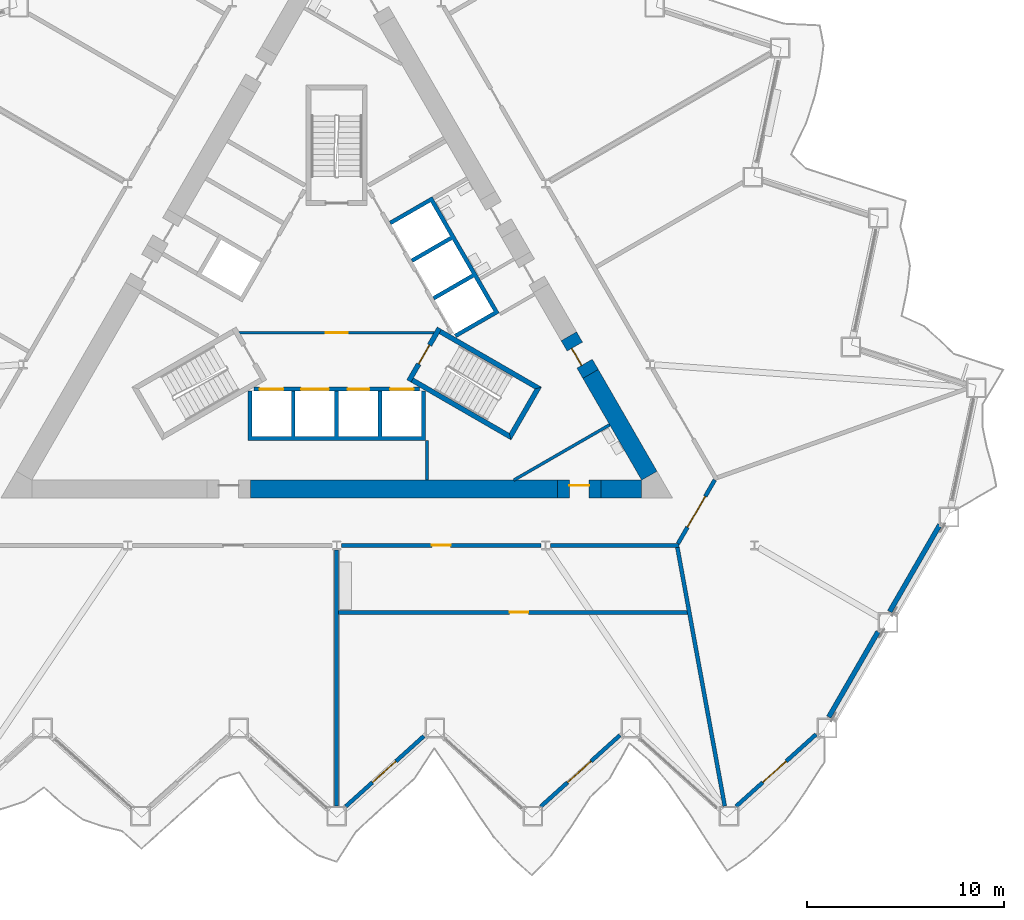
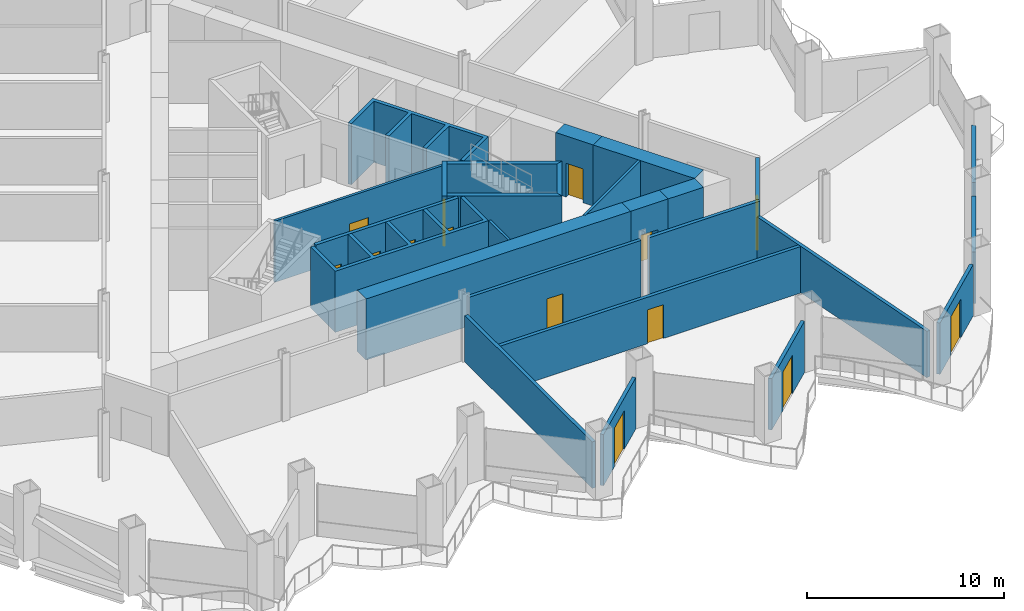
# One storey, part 10 of 21: 26 walls, 14 doors, 14 openings.
"""IFC4 building model written with IfcOpenShell, lengths in metres."""

from ifc_helpers import new_model, si_unit, direction, frame, frame_2d, origin, place, context, subcontext, project, spatial, polyline, rectangle, outline, extrude, material, layer, layer_set, type_object, element, fill, save


model = new_model("IFC4")

# Units and contexts
model_context = context("Model", 3, precision=1e-05, world=origin(), true_north=direction((0.0, 1.0)))
body_context = subcontext(model_context, "Body", "Model", "MODEL_VIEW")
ifc_project = project(units=[si_unit("LENGTHUNIT", "METRE"), si_unit("AREAUNIT", "SQUARE_METRE"), si_unit("VOLUMEUNIT", "CUBIC_METRE"), si_unit("PLANEANGLEUNIT", "RADIAN"), si_unit("MASSUNIT", "GRAM", prefix="KILO")], contexts=[model_context])

# Site, building, storey
site_placement = place(None, origin())
site = spatial("IfcSite", under=ifc_project, at=site_placement, CompositionType="ELEMENT")
building_placement = place(site_placement, origin())
building = spatial("IfcBuilding", under=site, at=building_placement, Name="Cormorant Prow Tower", CompositionType="ELEMENT")
storey_placement = place(building_placement, frame((0.0, 0.0, 76.199951171875)))
storey = spatial("IfcBuildingStorey", under=building, at=storey_placement, Name="L16", CompositionType="ELEMENT", Elevation=76.199951171875)

# Wall, opening, door
ifc_material_1 = material(Name="Gypsum board partition")
ifc_layer_1 = layer(ifc_material_1, 0.14990234375)
ifc_layer_set_1 = layer_set([ifc_layer_1], Name="Gypsum board partition")
wall_type_1 = type_object("IfcWallType", Name="Core partition 150", PredefinedType="PARTITIONING", material=ifc_layer_set_1)
wall_1_placement = place(storey_placement, frame((-4.941162109375, -1.449951171875, 0.0), z_axis=(0.0, 0.0, 1.0), x_axis=(1.0, 0.0, 0.0)))
wall_1 = element("IfcWall", 1, at=wall_1_placement, inside=storey, type_object=wall_type_1, Name="Firefighting lobby partition", PredefinedType="PARTITIONING", context=body_context, shape_type="SweptSolid", body=[
    extrude(rectangle(XDim=9.88232421875, YDim=0.14990234375, at=frame_2d((4.941162109375, 0.0))), origin(), (0.0, 0.0, 1.0), 3.800048828125),
])
opening_1_placement = place(wall_1_placement, frame((4.39111328125, 0.0, 0.0)))
opening_1 = element("IfcOpeningElement", 2, at=opening_1_placement, cuts=wall_1, Name="Opening L16-C11", PredefinedType="OPENING", context=body_context, shape_type="SweptSolid", body=[
    extrude(rectangle(XDim=1.10009765625, YDim=2.10009765625, at=frame_2d((0.550048828125, 1.050048828125))), frame((0.0, 0.0849609375, 0.0), z_axis=(0.0, -1.0, 0.0), x_axis=(1.0, 0.0, 0.0)), (0.0, 0.0, 1.0), 0.169921875),
])
ifc_material_2 = material(Name="Painted steel", Category="steel")
door_type_1 = type_object("IfcDoorType", Name="Firefighting lobby door 1100x2100", OperationType="NOTDEFINED", PredefinedType="DOOR", material=ifc_material_2)
door_1_placement = place(opening_1_placement, origin())
door_1 = element("IfcDoor", 3, at=door_1_placement, inside=storey, type_object=door_type_1, Name="Firefighting lobby door", OperationType="SINGLE_SWING_LEFT", OverallHeight=2.10009765625, OverallWidth=1.10009765625, PredefinedType="DOOR", context=body_context, shape_type="SweptSolid", body=[
    extrude(rectangle(XDim=1.10009765625, YDim=2.10009765625, at=frame_2d((0.550048828125, 1.050048828125))), frame((0.0, 0.02490234375, 0.0), z_axis=(0.0, -1.0, 0.0), x_axis=(1.0, 0.0, 0.0)), (0.0, 0.0, 1.0), 0.050048828125),
])
fill(opening_1, door_1)

# Walls
wall_2_placement = place(storey_placement, frame((4.574951171875, -6.906005859375, 0.0), z_axis=(0.0, 0.0, 1.0), x_axis=(0.0, -1.0, 0.0)))
element("IfcWall", 4, at=wall_2_placement, inside=storey, type_object=wall_type_1, Name="Service room partition", PredefinedType="PARTITIONING", context=body_context, shape_type="SweptSolid", body=[
    extrude(rectangle(XDim=2.009033203125, YDim=0.14990234375, at=frame_2d((1.00439453125, 0.0))), origin(), (0.0, 0.0, 1.0), 3.800048828125),
])
wall_3_placement = place(storey_placement, frame((13.822509765625, -6.111328125, 0.0), z_axis=(0.0, 0.0, 1.0), x_axis=(-0.866026802741, -0.499997576928, 0.0)))
element("IfcWall", 5, at=wall_3_placement, inside=storey, type_object=wall_type_1, Name="Service room partition", PredefinedType="PARTITIONING", context=body_context, shape_type="SweptSolid", body=[
    extrude(rectangle(XDim=5.607421875, YDim=0.14990234375, at=frame_2d((2.8037109375, 0.0))), origin(), (0.0, 0.0, 1.0), 3.800048828125),
])
ifc_material_3 = material(Name="Concrete 8000 psi", Category="concrete")
ifc_layer_2 = layer(ifc_material_3, 0.89990234375)
ifc_layer_set_2 = layer_set([ifc_layer_2], Name="Concrete 8000 psi")
wall_type_2 = type_object("IfcWallType", Name="Core shear wall 900", PredefinedType="SHEAR", material=ifc_layer_set_2)
wall_4_placement = place(storey_placement, frame((-4.37060546875, -9.364990234375, 0.0), z_axis=(0.0, 0.0, 1.0), x_axis=(1.0, 0.0, 0.0)))
element("IfcWall", 6, at=wall_4_placement, inside=storey, type_object=wall_type_2, Name="Core wall", PredefinedType="SHEAR", context=body_context, shape_type="SweptSolid", body=[
    extrude(rectangle(XDim=15.549560546875, YDim=0.89990234375, at=frame_2d((7.77490234375, 0.0))), origin(), (0.0, 0.0, 1.0), 3.800048828125),
])
wall_5_placement = place(storey_placement, frame((13.37890625, -9.364990234375, 0.0), z_axis=(0.0, 0.0, 1.0), x_axis=(1.0, 0.0, 0.0)))
element("IfcWall", 7, at=wall_5_placement, inside=storey, type_object=wall_type_2, Name="Core wall", PredefinedType="SHEAR", context=body_context, shape_type="SweptSolid", body=[
    extrude(rectangle(XDim=2.062255859375, YDim=0.89990234375, at=frame_2d((1.03125, 0.0))), origin(), (0.0, 0.0, 1.0), 3.800048828125),
])
wall_6_placement = place(storey_placement, frame((15.830810546875, -8.68994140625, 0.0), z_axis=(0.0, 0.0, 1.0), x_axis=(-0.499999419053, 0.866025739194, 0.0)))
element("IfcWall", 8, at=wall_6_placement, inside=storey, type_object=wall_type_2, Name="Core wall", PredefinedType="SHEAR", context=body_context, shape_type="SweptSolid", body=[
    extrude(rectangle(XDim=5.95166015625, YDim=0.89990234375, at=frame_2d((2.975830078125, 0.0))), origin(), (0.0, 0.0, 1.0), 3.800048828125),
])

# Wall, opening, door
wall_7_placement = place(storey_placement, frame((11.178955078125, -9.364990234375, 0.0), z_axis=(0.0, 0.0, 1.0), x_axis=(1.0, 0.0, 0.0)))
wall_7 = element("IfcWall", 9, at=wall_7_placement, inside=storey, type_object=wall_type_2, Name="Core wall door panel", PredefinedType="SHEAR", context=body_context, shape_type="SweptSolid", body=[
    extrude(rectangle(XDim=2.199951171875, YDim=0.89990234375, at=frame_2d((1.10009765625, 0.0))), origin(), (0.0, 0.0, 1.0), 3.800048828125),
])
opening_2_placement = place(wall_7_placement, frame((0.60009765625, 0.0, 0.0)))
opening_2 = element("IfcOpeningElement", 10, at=opening_2_placement, cuts=wall_7, Name="Opening L16-C15", PredefinedType="OPENING", context=body_context, shape_type="SweptSolid", body=[
    extrude(rectangle(XDim=1.0, YDim=2.10009765625, at=frame_2d((0.5, 1.050048828125))), frame((0.0, 0.4599609375, 0.0), z_axis=(0.0, -1.0, 0.0), x_axis=(1.0, 0.0, 0.0)), (0.0, 0.0, 1.0), 0.919921875),
])
ifc_material_4 = material(Name="Painted steel", Category="steel")
door_type_2 = type_object("IfcDoorType", Name="Service door 1000x2100", OperationType="NOTDEFINED", PredefinedType="DOOR", material=ifc_material_4)
door_2_placement = place(opening_2_placement, origin())
door_2 = element("IfcDoor", 11, at=door_2_placement, inside=storey, type_object=door_type_2, Name="Core door, Accessible WC L16", OperationType="SINGLE_SWING_RIGHT", OverallHeight=2.10009765625, OverallWidth=1.0, PredefinedType="DOOR", context=body_context, shape_type="SweptSolid", body=[
    extrude(rectangle(XDim=1.0, YDim=2.10009765625, at=frame_2d((0.5, 1.050048828125))), frame((0.0, 0.205078125, 0.0), z_axis=(0.0, -1.0, 0.0), x_axis=(1.0, 0.0, 0.0)), (0.0, 0.0, 1.0), 0.050048828125),
])
fill(opening_2, door_2)

wall_8_placement = place(storey_placement, frame((12.85498046875, -3.53564453125, 0.0), z_axis=(0.0, 0.0, 1.0), x_axis=(-0.50002983664, 0.866008176907, 0.0)))
wall_8 = element("IfcWall", 12, at=wall_8_placement, inside=storey, type_object=wall_type_2, Name="Core wall door panel", PredefinedType="SHEAR", context=body_context, shape_type="SweptSolid", body=[
    extrude(rectangle(XDim=2.199951171875, YDim=0.89990234375, at=frame_2d((1.10009765625, 0.0))), origin(), (0.0, 0.0, 1.0), 3.800048828125),
])
opening_3_placement = place(wall_8_placement, frame((0.60009765625, 0.0, 0.0)))
opening_3 = element("IfcOpeningElement", 13, at=opening_3_placement, cuts=wall_8, Name="Opening L16-C17", PredefinedType="OPENING", context=body_context, shape_type="SweptSolid", body=[
    extrude(rectangle(XDim=1.0, YDim=2.10009765625, at=frame_2d((0.5, 1.050048828125))), frame((0.0, 0.4599609375, 0.0), z_axis=(0.0, -1.0, 0.0), x_axis=(1.0, 0.0, 0.0)), (0.0, 0.0, 1.0), 0.919921875),
])
door_3_placement = place(opening_3_placement, origin())
door_3 = element("IfcDoor", 14, at=door_3_placement, inside=storey, type_object=door_type_2, Name="Core door, Electrical room", OperationType="SINGLE_SWING_RIGHT", OverallHeight=2.10009765625, OverallWidth=1.0, PredefinedType="DOOR", context=body_context, shape_type="SweptSolid", body=[
    extrude(rectangle(XDim=1.0, YDim=2.10009765625, at=frame_2d((0.5, 1.050048828125))), frame((0.0, 0.205078125, 0.0), z_axis=(0.0, -1.0, 0.0), x_axis=(1.0, 0.0, 0.0)), (0.0, 0.0, 1.0), 0.050048828125),
])
fill(opening_3, door_3)

ifc_material_5 = material(Name="Gypsum board corridor wall")
ifc_layer_3 = layer(ifc_material_5, 0.199951171875)
ifc_layer_set_3 = layer_set([ifc_layer_3], Name="Gypsum board corridor wall")
wall_type_3 = type_object("IfcWallType", Name="Corridor wall 200", PredefinedType="PARTITIONING", material=ifc_layer_set_3)
wall_9_placement = place(storey_placement, frame((0.2421875, -12.215087890625, 0.0), z_axis=(0.0, 0.0, 1.0), x_axis=(1.0, 0.0, 0.0)))
wall_9 = element("IfcWall", 15, at=wall_9_placement, inside=storey, type_object=wall_type_3, Name="Corridor wall", PredefinedType="PARTITIONING", context=body_context, shape_type="SweptSolid", body=[
    extrude(rectangle(XDim=10.093994140625, YDim=0.199951171875, at=frame_2d((5.046875, 0.0))), origin(), (0.0, 0.0, 1.0), 3.800048828125),
])
opening_4_placement = place(wall_9_placement, frame((4.572021484375, 0.0, 0.0)))
opening_4 = element("IfcOpeningElement", 16, at=opening_4_placement, cuts=wall_9, Name="Opening L16-F02", PredefinedType="OPENING", context=body_context, shape_type="SweptSolid", body=[
    extrude(rectangle(XDim=0.949951171875, YDim=2.10009765625, at=frame_2d((0.47509765625, 1.050048828125))), frame((0.0, 0.10986328125, 0.0), z_axis=(0.0, -1.0, 0.0), x_axis=(1.0, 0.0, 0.0)), (0.0, 0.0, 1.0), 0.219970703125),
])
ifc_material_6 = material(Name="Timber door leaf", Category="wood")
door_type_3 = type_object("IfcDoorType", Name="Store door 950x2100", OperationType="NOTDEFINED", PredefinedType="DOOR", material=ifc_material_6)
door_4_placement = place(opening_4_placement, origin())
door_4 = element("IfcDoor", 17, at=door_4_placement, inside=storey, type_object=door_type_3, Name="Tea point and pantry door", OperationType="SINGLE_SWING_LEFT", OverallHeight=2.10009765625, OverallWidth=0.949951171875, PredefinedType="DOOR", context=body_context, shape_type="SweptSolid", body=[
    extrude(rectangle(XDim=0.949951171875, YDim=2.10009765625, at=frame_2d((0.47509765625, 1.050048828125))), frame((0.0, 0.02490234375, 0.0), z_axis=(0.0, -1.0, 0.0), x_axis=(1.0, 0.0, 0.0)), (0.0, 0.0, 1.0), 0.050048828125),
])
fill(opening_4, door_4)

# Wall
wall_10_placement = place(storey_placement, frame((10.82080078125, -12.215087890625, 0.0), z_axis=(0.0, 0.0, 1.0), x_axis=(1.0, 0.0, 0.0)))
element("IfcWall", 18, at=wall_10_placement, inside=storey, type_object=wall_type_3, Name="Corridor wall", PredefinedType="PARTITIONING", context=body_context, shape_type="SweptSolid", body=[
    extrude(rectangle(XDim=6.510009765625, YDim=0.199951171875, at=frame_2d((3.2548828125, 0.0))), origin(), (0.0, 0.0, 1.0), 3.800048828125),
])

# Wall, opening, door
wall_11_placement = place(storey_placement, frame((17.281005859375, -12.12841796875, 0.0), z_axis=(0.0, 0.0, 1.0), x_axis=(0.499958791762, 0.866049194065, 0.0)))
wall_11 = element("IfcWall", 19, at=wall_11_placement, inside=storey, type_object=wall_type_3, Name="Corridor wall", PredefinedType="PARTITIONING", context=body_context, shape_type="SweptSolid", body=[
    extrude(rectangle(XDim=3.725830078125, YDim=0.199951171875, at=frame_2d((1.86279296875, 0.0))), origin(), (0.0, 0.0, 1.0), 3.800048828125),
])
opening_5_placement = place(wall_11_placement, frame((0.962890625, 0.0, 0.0)))
opening_5 = element("IfcOpeningElement", 20, at=opening_5_placement, cuts=wall_11, Name="Opening L16-F04", PredefinedType="OPENING", context=body_context, shape_type="SweptSolid", body=[
    extrude(rectangle(XDim=1.800048828125, YDim=2.10009765625, at=frame_2d((0.89990234375, 1.050048828125))), frame((0.0, 0.10986328125, 0.0), z_axis=(0.0, -1.0, 0.0), x_axis=(1.0, 0.0, 0.0)), (0.0, 0.0, 1.0), 0.219970703125),
])
ifc_material_7 = material(Name="Timber door leaf", Category="wood")
door_type_4 = type_object("IfcDoorType", Name="Double door 1800x2100", OperationType="DOUBLE_DOOR_SINGLE_SWING", PredefinedType="DOOR", material=ifc_material_7)
door_5_placement = place(opening_5_placement, origin())
door_5 = element("IfcDoor", 21, at=door_5_placement, inside=storey, type_object=door_type_4, Name="Open-plan office door", OperationType="DOUBLE_DOOR_SINGLE_SWING", OverallHeight=2.10009765625, OverallWidth=1.800048828125, PredefinedType="DOOR", context=body_context, shape_type="SweptSolid", body=[
    extrude(rectangle(XDim=1.800048828125, YDim=2.10009765625, at=frame_2d((0.89990234375, 1.050048828125))), frame((0.0, 0.02490234375, 0.0), z_axis=(0.0, -1.0, 0.0), x_axis=(1.0, 0.0, 0.0)), (0.0, 0.0, 1.0), 0.050048828125),
])
fill(opening_5, door_5)

ifc_material_8 = material(Name="Gypsum board demising wall")
ifc_layer_4 = layer(ifc_material_8, 0.199951171875)
ifc_layer_set_4 = layer_set([ifc_layer_4], Name="Gypsum board demising wall")
wall_type_4 = type_object("IfcWallType", Name="Demising wall 200", PredefinedType="PARTITIONING", material=ifc_layer_set_4)
wall_12_placement = place(storey_placement, frame((0.10009765625, -15.614990234375, 0.0), z_axis=(0.0, 0.0, 1.0), x_axis=(1.0, 0.0, 0.0)))
wall_12 = element("IfcWall", 22, at=wall_12_placement, inside=storey, type_object=wall_type_4, Name="Demising wall", PredefinedType="PARTITIONING", context=body_context, shape_type="SweptSolid", body=[
    extrude(rectangle(XDim=17.653564453125, YDim=0.199951171875, at=frame_2d((8.82666015625, 0.0))), origin(), (0.0, 0.0, 1.0), 2.88525390625),
])
opening_6_placement = place(wall_12_placement, frame((8.65185546875, 0.0, 0.0)))
opening_6 = element("IfcOpeningElement", 23, at=opening_6_placement, cuts=wall_12, Name="Opening L16-F03", PredefinedType="OPENING", context=body_context, shape_type="SweptSolid", body=[
    extrude(rectangle(XDim=0.949951171875, YDim=2.10009765625, at=frame_2d((0.47509765625, 1.050048828125))), frame((0.0, 0.10986328125, 0.0), z_axis=(0.0, -1.0, 0.0), x_axis=(1.0, 0.0, 0.0)), (0.0, 0.0, 1.0), 0.219970703125),
])
door_6_placement = place(opening_6_placement, origin())
door_6 = element("IfcDoor", 24, at=door_6_placement, inside=storey, type_object=door_type_3, Name="Print and copy room door", OperationType="SINGLE_SWING_LEFT", OverallHeight=2.10009765625, OverallWidth=0.949951171875, PredefinedType="DOOR", context=body_context, shape_type="SweptSolid", body=[
    extrude(rectangle(XDim=0.949951171875, YDim=2.10009765625, at=frame_2d((0.47509765625, 1.050048828125))), frame((0.0, 0.02490234375, 0.0), z_axis=(0.0, -1.0, 0.0), x_axis=(1.0, 0.0, 0.0)), (0.0, 0.0, 1.0), 0.050048828125),
])
fill(opening_6, door_6)

# Walls
wall_13_placement = place(storey_placement, frame((17.248779296875, -12.313232421875, 0.0), z_axis=(0.0, 0.0, 1.0), x_axis=(0.180179866985, -0.983633679544, 0.0)))
element("IfcWall", 25, at=wall_13_placement, inside=storey, type_object=wall_type_4, Name="Demising wall", PredefinedType="PARTITIONING", context=body_context, shape_type="SweptSolid", body=[
    extrude(rectangle(XDim=13.326171875, YDim=0.199951171875, at=frame_2d((6.6630859375, 0.0))), origin(), (0.0, 0.0, 1.0), 2.88525390625),
])
wall_14_placement = place(storey_placement, frame((0.0, -25.42138671875, 0.0), z_axis=(0.0, 0.0, 1.0), x_axis=(0.0, 1.0, 0.0)))
element("IfcWall", 26, at=wall_14_placement, inside=storey, type_object=wall_type_4, Name="Demising wall", PredefinedType="PARTITIONING", context=body_context, shape_type="SweptSolid", body=[
    extrude(rectangle(XDim=12.964111328125, YDim=0.199951171875, at=frame_2d((6.48193359375, 0.0))), origin(), (0.0, 0.0, 1.0), 2.88525390625),
])

# Wall, openings, doors
ifc_material_9 = material(Name="Concrete 5000 psi", Category="concrete")
ifc_layer_5 = layer(ifc_material_9, 0.199951171875)
ifc_layer_set_5 = layer_set([ifc_layer_5], Name="Concrete 5000 psi")
wall_type_5 = type_object("IfcWallType", Name="Lift lobby wall 200", PredefinedType="SOLIDWALL", material=ifc_layer_set_5)
wall_15_placement = place(storey_placement, frame((-4.1865234375, -4.300048828125, 0.0), z_axis=(0.0, 0.0, 1.0), x_axis=(1.0, 0.0, 0.0)))
wall_15 = element("IfcWall", 27, at=wall_15_placement, inside=storey, type_object=wall_type_5, Name="Lift lobby wall, S block", PredefinedType="SOLIDWALL", context=body_context, shape_type="SweptSolid", body=[
    extrude(rectangle(XDim=8.373046875, YDim=0.199951171875, at=frame_2d((4.1865234375, 0.0))), origin(), (0.0, 0.0, 1.0), 3.800048828125),
])
opening_7_placement = place(wall_15_placement, frame((0.28662109375, 0.0, 0.0)))
opening_7 = element("IfcOpeningElement", 28, at=opening_7_placement, cuts=wall_15, Name="Opening L16-C01", PredefinedType="OPENING", context=body_context, shape_type="SweptSolid", body=[
    extrude(rectangle(XDim=1.199951171875, YDim=2.10009765625, at=frame_2d((0.60009765625, 1.050048828125))), frame((0.0, 0.10986328125, 0.0), z_axis=(0.0, -1.0, 0.0), x_axis=(1.0, 0.0, 0.0)), (0.0, 0.0, 1.0), 0.219970703125),
])
opening_8_placement = place(wall_15_placement, frame((2.38671875, 0.0, 0.0)))
opening_8 = element("IfcOpeningElement", 29, at=opening_8_placement, cuts=wall_15, Name="Opening L16-C02", PredefinedType="OPENING", context=body_context, shape_type="SweptSolid", body=[
    extrude(rectangle(XDim=1.39990234375, YDim=2.10009765625, at=frame_2d((0.699951171875, 1.050048828125))), frame((0.0, 0.10986328125, 0.0), z_axis=(0.0, -1.0, 0.0), x_axis=(1.0, 0.0, 0.0)), (0.0, 0.0, 1.0), 0.219970703125),
])
opening_9_placement = place(wall_15_placement, frame((4.736572265625, 0.0, 0.0)))
opening_9 = element("IfcOpeningElement", 30, at=opening_9_placement, cuts=wall_15, Name="Opening L16-C03", PredefinedType="OPENING", context=body_context, shape_type="SweptSolid", body=[
    extrude(rectangle(XDim=1.10009765625, YDim=2.10009765625, at=frame_2d((0.550048828125, 1.050048828125))), frame((0.0, 0.10986328125, 0.0), z_axis=(0.0, -1.0, 0.0), x_axis=(1.0, 0.0, 0.0)), (0.0, 0.0, 1.0), 0.219970703125),
])
opening_10_placement = place(wall_15_placement, frame((6.88671875, 0.0, 0.0)))
opening_10 = element("IfcOpeningElement", 31, at=opening_10_placement, cuts=wall_15, Name="Opening L16-C04", PredefinedType="OPENING", context=body_context, shape_type="SweptSolid", body=[
    extrude(rectangle(XDim=1.199951171875, YDim=2.10009765625, at=frame_2d((0.60009765625, 1.050048828125))), frame((0.0, 0.10986328125, 0.0), z_axis=(0.0, -1.0, 0.0), x_axis=(1.0, 0.0, 0.0)), (0.0, 0.0, 1.0), 0.219970703125),
])
ifc_material_10 = material(Name="Painted steel", Category="steel")
door_type_5 = type_object("IfcDoorType", Name="Firefighting lift landing door 1200x2100", OperationType="SLIDING_TO_LEFT", PredefinedType="DOOR", material=ifc_material_10)
door_7_placement = place(opening_7_placement, origin())
door_7 = element("IfcDoor", 32, at=door_7_placement, inside=storey, type_object=door_type_5, Name="Landing door FL1", OperationType="SLIDING_TO_LEFT", OverallHeight=2.10009765625, OverallWidth=1.199951171875, PredefinedType="DOOR", context=body_context, shape_type="SweptSolid", body=[
    extrude(rectangle(XDim=1.199951171875, YDim=2.10009765625, at=frame_2d((0.60009765625, 1.050048828125))), frame((0.0, 0.02490234375, 0.0), z_axis=(0.0, -1.0, 0.0), x_axis=(1.0, 0.0, 0.0)), (0.0, 0.0, 1.0), 0.050048828125),
])
fill(opening_7, door_7)
door_8_placement = place(opening_10_placement, origin())
door_8 = element("IfcDoor", 33, at=door_8_placement, inside=storey, type_object=door_type_5, Name="Landing door FL2", OperationType="SLIDING_TO_LEFT", OverallHeight=2.10009765625, OverallWidth=1.199951171875, PredefinedType="DOOR", context=body_context, shape_type="SweptSolid", body=[
    extrude(rectangle(XDim=1.199951171875, YDim=2.10009765625, at=frame_2d((0.60009765625, 1.050048828125))), frame((0.0, 0.02490234375, 0.0), z_axis=(0.0, -1.0, 0.0), x_axis=(1.0, 0.0, 0.0)), (0.0, 0.0, 1.0), 0.050048828125),
])
fill(opening_10, door_8)
ifc_material_11 = material(Name="Painted steel", Category="steel")
door_type_6 = type_object("IfcDoorType", Name="Lift landing door 1100x2100", OperationType="SLIDING_TO_LEFT", PredefinedType="DOOR", material=ifc_material_11)
door_9_placement = place(opening_9_placement, origin())
door_9 = element("IfcDoor", 34, at=door_9_placement, inside=storey, type_object=door_type_6, Name="Landing door LR1", OperationType="SLIDING_TO_LEFT", OverallHeight=2.10009765625, OverallWidth=1.10009765625, PredefinedType="DOOR", context=body_context, shape_type="SweptSolid", body=[
    extrude(rectangle(XDim=1.10009765625, YDim=2.10009765625, at=frame_2d((0.550048828125, 1.050048828125))), frame((0.0, 0.02490234375, 0.0), z_axis=(0.0, -1.0, 0.0), x_axis=(1.0, 0.0, 0.0)), (0.0, 0.0, 1.0), 0.050048828125),
])
fill(opening_9, door_9)
ifc_material_12 = material(Name="Painted steel", Category="steel")
door_type_7 = type_object("IfcDoorType", Name="Service lift landing door 1400x2100", OperationType="SLIDING_TO_LEFT", PredefinedType="DOOR", material=ifc_material_12)
door_10_placement = place(opening_8_placement, origin())
door_10 = element("IfcDoor", 35, at=door_10_placement, inside=storey, type_object=door_type_7, Name="Landing door SL1", OperationType="SLIDING_TO_LEFT", OverallHeight=2.10009765625, OverallWidth=1.39990234375, PredefinedType="DOOR", context=body_context, shape_type="SweptSolid", body=[
    extrude(rectangle(XDim=1.39990234375, YDim=2.10009765625, at=frame_2d((0.699951171875, 1.050048828125))), frame((0.0, 0.02490234375, 0.0), z_axis=(0.0, -1.0, 0.0), x_axis=(1.0, 0.0, 0.0)), (0.0, 0.0, 1.0), 0.050048828125),
])
fill(opening_8, door_10)

# Walls
ifc_material_13 = material(Name="Concrete 8000 psi", Category="concrete")
ifc_layer_6 = layer(ifc_material_13, 0.199951171875)
ifc_layer_set_6 = layer_set([ifc_layer_6], Name="Concrete 8000 psi")
wall_type_6 = type_object("IfcWallType", Name="Lift shaft wall 200", PredefinedType="SHEAR", material=ifc_layer_set_6)
wall_16_placement = place(storey_placement, origin())
element("IfcWall", 36, at=wall_16_placement, inside=storey, type_object=wall_type_6, Name="Lift shaft walls, S block", PredefinedType="SHEAR", context=body_context, shape_type="SweptSolid", body=[
    extrude(outline(polyline([(4.5, -4.39990234375), (4.5, -6.906005859375), (-4.5, -6.906005859375), (-4.5, -4.39990234375), (-4.300048828125, -4.39990234375), (-4.300048828125, -6.699951171875), (-2.300048828125, -6.699951171875), (-2.300048828125, -4.39990234375), (-2.10009765625, -4.39990234375), (-2.10009765625, -6.699951171875), (-0.10009765625, -6.699951171875), (-0.10009765625, -4.39990234375), (0.10009765625, -4.39990234375), (0.10009765625, -6.699951171875), (2.10009765625, -6.699951171875), (2.10009765625, -4.39990234375), (2.300048828125, -4.39990234375), (2.300048828125, -6.699951171875), (4.300048828125, -6.699951171875), (4.300048828125, -4.39990234375), (4.5, -4.39990234375)])), origin(), (0.0, 0.0, 1.0), 3.800048828125),
])
wall_17_placement = place(storey_placement, origin())
element("IfcWall", 37, at=wall_17_placement, inside=storey, type_object=wall_type_6, Name="Lift shaft walls, ENE block", PredefinedType="SHEAR", context=body_context, shape_type="SweptSolid", body=[
    extrude(outline(polyline([(2.660400390625, 4.19189453125), (4.830810546875, 5.44482421875), (8.230712890625, -0.444091796875), (6.060546875, -1.697021484375), (5.96044921875, -1.52392578125), (7.952392578125, -0.373779296875), (6.952392578125, 1.358154296875), (4.96044921875, 0.2080078125), (4.860595703125, 0.38134765625), (6.852294921875, 1.53125), (5.852294921875, 3.263427734375), (3.860595703125, 2.11328125), (3.760498046875, 2.28662109375), (5.75244140625, 3.4365234375), (4.75244140625, 5.168701171875), (2.760498046875, 4.018798828125), (2.660400390625, 4.19189453125)])), origin(), (0.0, 0.0, 1.0), 3.800048828125),
])
ifc_material_14 = material(Name="Concrete 8000 psi", Category="concrete")
ifc_layer_7 = layer(ifc_material_14, 0.25)
ifc_layer_set_7 = layer_set([ifc_layer_7], Name="Concrete 8000 psi")
wall_type_7 = type_object("IfcWallType", Name="Stair wall 250", PredefinedType="SHEAR", material=ifc_layer_set_7)
wall_18_placement = place(storey_placement, origin())
element("IfcWall", 38, at=wall_18_placement, inside=storey, type_object=wall_type_7, Name="Stair ST2 enclosure wall (flank)", PredefinedType="SHEAR", context=body_context, shape_type="SweptSolid", body=[
    extrude(outline(polyline([(3.76318359375, -3.95556640625), (8.82958984375, -6.880615234375), (8.738037109375, -6.5390625), (3.88818359375, -3.739013671875), (3.76318359375, -3.95556640625)])), origin(), (0.0, 0.0, 1.0), 3.800048828125),
])
wall_19_placement = place(storey_placement, origin())
element("IfcWall", 39, at=wall_19_placement, inside=storey, type_object=wall_type_7, Name="Stair ST2 enclosure wall (end)", PredefinedType="SHEAR", context=body_context, shape_type="SweptSolid", body=[
    extrude(outline(polyline([(8.82958984375, -6.880615234375), (10.37353515625, -4.206298828125), (10.031982421875, -4.2978515625), (8.738037109375, -6.5390625), (8.82958984375, -6.880615234375)])), origin(), (0.0, 0.0, 1.0), 3.800048828125),
])
wall_20_placement = place(storey_placement, origin())
element("IfcWall", 40, at=wall_20_placement, inside=storey, type_object=wall_type_7, Name="Stair ST2 enclosure wall (flank)", PredefinedType="SHEAR", context=body_context, shape_type="SweptSolid", body=[
    extrude(outline(polyline([(10.031982421875, -4.2978515625), (10.37353515625, -4.206298828125), (5.30712890625, -1.28125), (5.18212890625, -1.497802734375), (10.031982421875, -4.2978515625)])), origin(), (0.0, 0.0, 1.0), 3.800048828125),
])

# Wall, opening, door
wall_21_placement = place(storey_placement, frame((3.655029296875, -3.89306640625, 0.0), z_axis=(0.0, 0.0, 1.0), x_axis=(0.499982516597, 0.866035497597, 0.0)))
wall_21 = element("IfcWall", 41, at=wall_21_placement, inside=storey, type_object=wall_type_7, Name="Stair ST2 door wall", PredefinedType="SHEAR", context=body_context, shape_type="SweptSolid", body=[
    extrude(rectangle(XDim=3.087890625, YDim=0.25, at=frame_2d((1.5439453125, 0.0))), origin(), (0.0, 0.0, 1.0), 3.800048828125),
])
opening_11_placement = place(wall_21_placement, frame((0.993896484375, 0.0, 0.0)))
opening_11 = element("IfcOpeningElement", 42, at=opening_11_placement, cuts=wall_21, Name="Opening L16-C13", PredefinedType="OPENING", context=body_context, shape_type="SweptSolid", body=[
    extrude(rectangle(XDim=1.10009765625, YDim=2.10009765625, at=frame_2d((0.550048828125, 1.050048828125))), frame((0.0, 0.135009765625, 0.0), z_axis=(0.0, -1.0, 0.0), x_axis=(1.0, 0.0, 0.0)), (0.0, 0.0, 1.0), 0.27001953125),
])
ifc_material_15 = material(Name="Painted steel", Category="steel")
door_type_8 = type_object("IfcDoorType", Name="Stair door 1100x2100", OperationType="NOTDEFINED", PredefinedType="DOOR", material=ifc_material_15)
door_11_placement = place(opening_11_placement, origin())
door_11 = element("IfcDoor", 43, at=door_11_placement, inside=storey, type_object=door_type_8, Name="Stair ST2 door", OperationType="SINGLE_SWING_RIGHT", OverallHeight=2.10009765625, OverallWidth=1.10009765625, PredefinedType="DOOR", context=body_context, shape_type="SweptSolid", body=[
    extrude(rectangle(XDim=1.10009765625, YDim=2.10009765625, at=frame_2d((0.550048828125, 1.050048828125))), frame((0.0, 0.02490234375, 0.0), z_axis=(0.0, -1.0, 0.0), x_axis=(1.0, 0.0, 0.0)), (0.0, 0.0, 1.0), 0.050048828125),
])
fill(opening_11, door_11)

# Walls
ifc_material_16 = material(Name="Terracotta", Category="masonry")
ifc_layer_8 = layer(ifc_material_16, 0.25)
ifc_layer_set_8 = layer_set([ifc_layer_8], Name="Terracotta")
wall_type_8 = type_object("IfcWallType", Name="Terracotta bay wall 250", PredefinedType="SOLIDWALL", material=ifc_layer_set_8)
wall_22_placement = place(storey_placement, frame((24.918212890625, -20.909912109375, 0.0), z_axis=(0.0, 0.0, 1.0), x_axis=(0.499978178329, 0.866038002165, 0.0)))
element("IfcWall", 44, at=wall_22_placement, inside=storey, type_object=wall_type_8, Name="Terracotta bay wall ESE00", PredefinedType="SOLIDWALL", context=body_context, shape_type="SweptSolid", body=[
    extrude(rectangle(XDim=4.986083984375, YDim=0.25, at=frame_2d((2.4931640625, 0.0))), origin(), (0.0, 0.0, 1.0), 3.18896484375),
])
wall_23_placement = place(storey_placement, frame((28.0029296875, -15.56689453125, 0.0), z_axis=(0.0, 0.0, 1.0), x_axis=(0.500004250643, 0.866022949661, 0.0)))
element("IfcWall", 45, at=wall_23_placement, inside=storey, type_object=wall_type_8, Name="Terracotta bay wall ESE01", PredefinedType="SOLIDWALL", context=body_context, shape_type="SweptSolid", body=[
    extrude(rectangle(XDim=5.07470703125, YDim=0.25, at=frame_2d((2.537353515625, 0.0))), origin(), (0.0, 0.0, 1.0), 3.18896484375),
])

# Wall, opening, door
ifc_material_17 = material(Name="Terracotta", Category="masonry")
ifc_layer_9 = layer(ifc_material_17, 0.199951171875)
ifc_layer_set_9 = layer_set([ifc_layer_9], Name="Terracotta")
wall_type_9 = type_object("IfcWallType", Name="Terracotta jamb wall 200", PredefinedType="SOLIDWALL", material=ifc_layer_set_9)
wall_24_placement = place(storey_placement, frame((0.45556640625, -25.4375, 0.0), z_axis=(0.0, 0.0, 1.0), x_axis=(0.743161896873, 0.669111646167, 0.0)))
wall_24 = element("IfcWall", 46, at=wall_24_placement, inside=storey, type_object=wall_type_9, Name="Terracotta jamb wall S05", PredefinedType="SOLIDWALL", context=body_context, shape_type="SweptSolid", body=[
    extrude(rectangle(XDim=5.32470703125, YDim=0.199951171875, at=frame_2d((2.662353515625, 0.0))), origin(), (0.0, 0.0, 1.0), 3.18896484375),
])
opening_12_placement = place(wall_24_placement, frame((1.821044921875, 0.0, 0.0)))
opening_12 = element("IfcOpeningElement", 47, at=opening_12_placement, cuts=wall_24, Name="Opening ED16.03", PredefinedType="OPENING", context=body_context, shape_type="SweptSolid", body=[
    extrude(rectangle(XDim=1.60009765625, YDim=2.39990234375, at=frame_2d((0.800048828125, 1.199951171875))), frame((0.0, 0.10986328125, 0.0), z_axis=(0.0, -1.0, 0.0), x_axis=(1.0, 0.0, 0.0)), (0.0, 0.0, 1.0), 0.219970703125),
])
ifc_material_18 = material(Name="Aluminium 6063-T6", Category="aluminium")
door_type_9 = type_object("IfcDoorType", Name="Balcony door 1600x2400", OperationType="DOUBLE_DOOR_SINGLE_SWING", PredefinedType="DOOR", material=ifc_material_18)
door_12_placement = place(opening_12_placement, origin())
door_12 = element("IfcDoor", 48, at=door_12_placement, inside=storey, type_object=door_type_9, Name="Balcony door S05 ED16.03", OperationType="DOUBLE_DOOR_SINGLE_SWING", OverallHeight=2.39990234375, OverallWidth=1.60009765625, PredefinedType="DOOR", context=body_context, shape_type="SweptSolid", body=[
    extrude(rectangle(XDim=1.60009765625, YDim=2.39990234375, at=frame_2d((0.800048828125, 1.199951171875))), frame((0.0, 0.02490234375, 0.0), z_axis=(0.0, -1.0, 0.0), x_axis=(1.0, 0.0, 0.0)), (0.0, 0.0, 1.0), 0.050048828125),
])
fill(opening_12, door_12)

wall_25_placement = place(storey_placement, frame((10.33642578125, -25.4375, 0.0), z_axis=(0.0, 0.0, 1.0), x_axis=(0.74316358834, 0.669109767501, 0.0)))
wall_25 = element("IfcWall", 49, at=wall_25_placement, inside=storey, type_object=wall_type_9, Name="Terracotta jamb wall S07", PredefinedType="SOLIDWALL", context=body_context, shape_type="SweptSolid", body=[
    extrude(rectangle(XDim=5.3935546875, YDim=0.199951171875, at=frame_2d((2.69677734375, 0.0))), origin(), (0.0, 0.0, 1.0), 3.18896484375),
])
opening_13_placement = place(wall_25_placement, frame((1.821044921875, 0.0, 0.0)))
opening_13 = element("IfcOpeningElement", 50, at=opening_13_placement, cuts=wall_25, Name="Opening ED16.04", PredefinedType="OPENING", context=body_context, shape_type="SweptSolid", body=[
    extrude(rectangle(XDim=1.60009765625, YDim=2.39990234375, at=frame_2d((0.800048828125, 1.199951171875))), frame((0.0, 0.10986328125, 0.0), z_axis=(0.0, -1.0, 0.0), x_axis=(1.0, 0.0, 0.0)), (0.0, 0.0, 1.0), 0.219970703125),
])
door_13_placement = place(opening_13_placement, origin())
door_13 = element("IfcDoor", 51, at=door_13_placement, inside=storey, type_object=door_type_9, Name="Balcony door S07 ED16.04", OperationType="DOUBLE_DOOR_SINGLE_SWING", OverallHeight=2.39990234375, OverallWidth=1.60009765625, PredefinedType="DOOR", context=body_context, shape_type="SweptSolid", body=[
    extrude(rectangle(XDim=1.60009765625, YDim=2.39990234375, at=frame_2d((0.800048828125, 1.199951171875))), frame((0.0, 0.02490234375, 0.0), z_axis=(0.0, -1.0, 0.0), x_axis=(1.0, 0.0, 0.0)), (0.0, 0.0, 1.0), 0.050048828125),
])
fill(opening_13, door_13)

wall_26_placement = place(storey_placement, frame((20.21728515625, -25.4375, 0.0), z_axis=(0.0, 0.0, 1.0), x_axis=(0.743143013099, 0.669132619204, 0.0)))
wall_26 = element("IfcWall", 52, at=wall_26_placement, inside=storey, type_object=wall_type_9, Name="Terracotta jamb wall S09", PredefinedType="SOLIDWALL", context=body_context, shape_type="SweptSolid", body=[
    extrude(rectangle(XDim=5.462646484375, YDim=0.199951171875, at=frame_2d((2.7314453125, 0.0))), origin(), (0.0, 0.0, 1.0), 3.18896484375),
])
opening_14_placement = place(wall_26_placement, frame((1.821044921875, 0.0, 0.0)))
opening_14 = element("IfcOpeningElement", 53, at=opening_14_placement, cuts=wall_26, Name="Opening ED16.05", PredefinedType="OPENING", context=body_context, shape_type="SweptSolid", body=[
    extrude(rectangle(XDim=1.60009765625, YDim=2.39990234375, at=frame_2d((0.800048828125, 1.199951171875))), frame((0.0, 0.10986328125, 0.0), z_axis=(0.0, -1.0, 0.0), x_axis=(1.0, 0.0, 0.0)), (0.0, 0.0, 1.0), 0.219970703125),
])
door_14_placement = place(opening_14_placement, origin())
door_14 = element("IfcDoor", 54, at=door_14_placement, inside=storey, type_object=door_type_9, Name="Balcony door S09 ED16.05", OperationType="DOUBLE_DOOR_SINGLE_SWING", OverallHeight=2.39990234375, OverallWidth=1.60009765625, PredefinedType="DOOR", context=body_context, shape_type="SweptSolid", body=[
    extrude(rectangle(XDim=1.60009765625, YDim=2.39990234375, at=frame_2d((0.800048828125, 1.199951171875))), frame((0.0, 0.02490234375, 0.0), z_axis=(0.0, -1.0, 0.0), x_axis=(1.0, 0.0, 0.0)), (0.0, 0.0, 1.0), 0.050048828125),
])
fill(opening_14, door_14)

save(model, "model.ifc")
